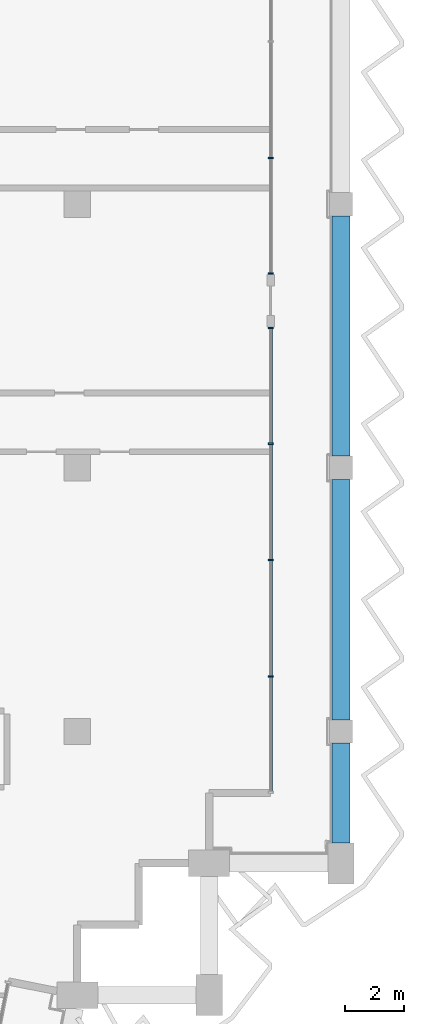
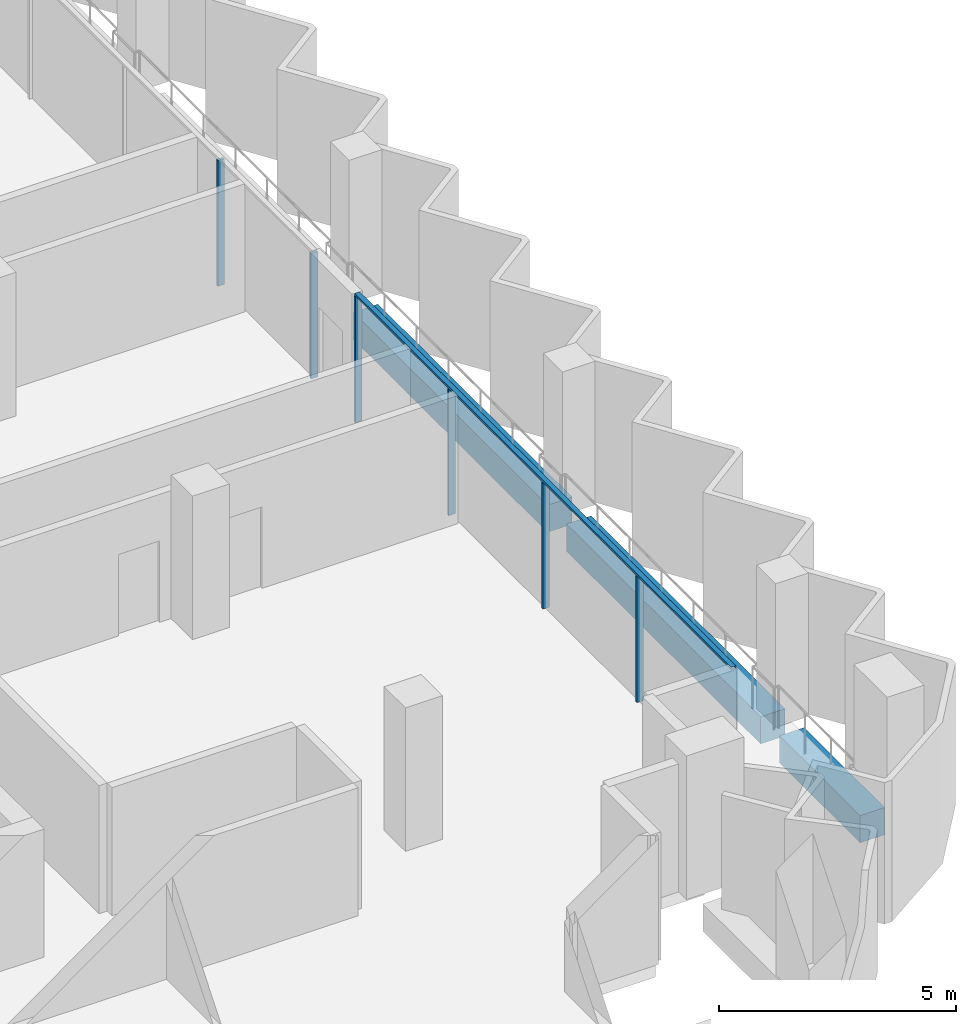
# One storey, part 4 of 14: 7 members, 3 beams, 2 elements without a shape of their own.
"""IFC4 building model written with IfcOpenShell, lengths in metres."""

from ifc_helpers import new_model, si_unit, direction, frame, origin, origin_2d, place, context, subcontext, project, spatial, rectangle, extrude, material, material_profile, profile_set, type_object, element, aggregate, save


model = new_model("IFC4")

# Units and contexts
model_context = context("Model", 3, precision=1e-05, world=origin(), true_north=direction((0.0, 1.0)))
body_context = subcontext(model_context, "Body", "Model", "MODEL_VIEW")
ifc_project = project(units=[si_unit("LENGTHUNIT", "METRE"), si_unit("AREAUNIT", "SQUARE_METRE"), si_unit("VOLUMEUNIT", "CUBIC_METRE"), si_unit("PLANEANGLEUNIT", "RADIAN"), si_unit("MASSUNIT", "GRAM", prefix="KILO")], contexts=[model_context])

# Site, building, storey
site_placement = place(None, origin())
site = spatial("IfcSite", under=ifc_project, at=site_placement, CompositionType="ELEMENT")
building_placement = place(site_placement, origin())
building = spatial("IfcBuilding", under=site, at=building_placement, Name="Hunhe Ridgeline Campus", CompositionType="ELEMENT")
storey_placement = place(building_placement, frame((0.0, 0.0, 284.5)))
storey = spatial("IfcBuildingStorey", under=building, at=storey_placement, Name="L73", CompositionType="ELEMENT", Elevation=284.5)

# Curtain wall, members
ifc_material_1 = material(Name="Aluminium 6063", Category="aluminium")
curtain_wall_type = type_object("IfcCurtainWallType", Name="Curtain wall CW-1", PredefinedType="NOTDEFINED", material=ifc_material_1)
curtain_wall_1_placement = place(storey_placement, origin())
curtain_wall_1 = element("IfcCurtainWall", 1, at=curtain_wall_1_placement, inside=storey, type_object=curtain_wall_type, Name="Curtain wall 11", PredefinedType="NOTDEFINED")
ifc_material_profile_1 = material_profile(ifc_material_1, rectangle(XDim=0.159912109375, YDim=0.06005859375, at=origin_2d()))
ifc_profile_set_1 = profile_set([ifc_material_profile_1], Name="Aluminium 6063")
member_type_1 = type_object("IfcMemberType", Name="CW-1 aluminium mullion", PredefinedType="MULLION", material=ifc_profile_set_1)
member_1_placement = place(storey_placement, frame((51.59912109375, 64.8759765625, 0.0), z_axis=(0.0, 0.0, 1.0), x_axis=(-1.0, 0.0, 0.0)))
member_1 = element("IfcMember", 2, at=member_1_placement, type_object=member_type_1, Name="CW-1 mullion 2", PredefinedType="MULLION", context=body_context, shape_type="SweptSolid", body=[
    extrude(rectangle(XDim=0.159912109375, YDim=0.06005859375, at=origin_2d()), origin(), (0.0, 0.0, 1.0), 3.239990234375),
])
member_2_placement = place(storey_placement, frame((51.59912109375, 68.850830078125, 0.0), z_axis=(0.0, 0.0, 1.0), x_axis=(-1.0, 0.0, 0.0)))
member_2 = element("IfcMember", 3, at=member_2_placement, type_object=member_type_1, Name="CW-1 mullion 3", PredefinedType="MULLION", context=body_context, shape_type="SweptSolid", body=[
    extrude(rectangle(XDim=0.159912109375, YDim=0.06005859375, at=origin_2d()), origin(), (0.0, 0.0, 1.0), 3.239990234375),
])
member_3_placement = place(storey_placement, frame((51.59912109375, 72.82568359375, 0.0), z_axis=(0.0, 0.0, 1.0), x_axis=(-1.0, 0.0, 0.0)))
member_3 = element("IfcMember", 4, at=member_3_placement, type_object=member_type_1, Name="CW-1 mullion 4", PredefinedType="MULLION", context=body_context, shape_type="SweptSolid", body=[
    extrude(rectangle(XDim=0.159912109375, YDim=0.06005859375, at=origin_2d()), origin(), (0.0, 0.0, 1.0), 3.239990234375),
])
member_4_placement = place(storey_placement, frame((51.59912109375, 76.7705078125, 0.0), z_axis=(0.0, 0.0, 1.0), x_axis=(-1.0, 0.0, 0.0)))
member_4 = element("IfcMember", 5, at=member_4_placement, type_object=member_type_1, Name="CW-1 mullion 5", PredefinedType="MULLION", context=body_context, shape_type="SweptSolid", body=[
    extrude(rectangle(XDim=0.159912109375, YDim=0.06005859375, at=origin_2d()), origin(), (0.0, 0.0, 1.0), 3.239990234375),
])

curtain_wall_2_placement = place(storey_placement, origin())
curtain_wall_2 = element("IfcCurtainWall", 6, at=curtain_wall_2_placement, inside=storey, type_object=curtain_wall_type, Name="Curtain wall 12", PredefinedType="NOTDEFINED")
member_5_placement = place(storey_placement, frame((51.59912109375, 78.630615234375, 0.0), z_axis=(0.0, 0.0, 1.0), x_axis=(-1.0, 0.0, 0.0)))
member_5 = element("IfcMember", 7, at=member_5_placement, type_object=member_type_1, Name="CW-1 mullion 1", PredefinedType="MULLION", context=body_context, shape_type="SweptSolid", body=[
    extrude(rectangle(XDim=0.159912109375, YDim=0.06005859375, at=origin_2d()), origin(), (0.0, 0.0, 1.0), 3.239990234375),
])
member_6_placement = place(storey_placement, frame((51.59912109375, 82.575439453125, 0.0), z_axis=(0.0, 0.0, 1.0), x_axis=(-1.0, 0.0, 0.0)))
member_6 = element("IfcMember", 8, at=member_6_placement, type_object=member_type_1, Name="CW-1 mullion 2", PredefinedType="MULLION", context=body_context, shape_type="SweptSolid", body=[
    extrude(rectangle(XDim=0.159912109375, YDim=0.06005859375, at=origin_2d()), origin(), (0.0, 0.0, 1.0), 3.239990234375),
])
aggregate(curtain_wall_2, [member_5, member_6])

# Member
ifc_material_profile_2 = material_profile(ifc_material_1, rectangle(XDim=0.1201171875, YDim=0.06005859375, at=origin_2d()))
ifc_profile_set_2 = profile_set([ifc_material_profile_2], Name="Aluminium 6063")
member_type_2 = type_object("IfcMemberType", Name="CW-1 aluminium transom", PredefinedType="USERDEFINED", material=ifc_profile_set_2)
member_7_placement = place(storey_placement, frame((51.59912109375, 60.90087890625, 3.27001953125), z_axis=(0.0, 1.0, 0.0), x_axis=(-1.0, 0.0, 0.0)))
member_7 = element("IfcMember", 9, at=member_7_placement, type_object=member_type_2, Name="CW-1 transom 1", ObjectType="TRANSOM", PredefinedType="USERDEFINED", context=body_context, shape_type="SweptSolid", body=[
    extrude(rectangle(XDim=0.1201171875, YDim=0.06005859375, at=origin_2d()), origin(), (0.0, 0.0, 1.0), 15.899658203125),
])

aggregate(curtain_wall_1, [member_7, member_1, member_2, member_3, member_4])

# Beams
ifc_material_2 = material(Name="Concrete C50", Category="concrete")
ifc_material_profile_3 = material_profile(ifc_material_2, rectangle(XDim=0.60009765625, YDim=0.699951171875, at=origin_2d()))
ifc_profile_set_3 = profile_set([ifc_material_profile_3], Name="Concrete C50")
beam_type = type_object("IfcBeamType", Name="RC spandrel beam 600x700 Concrete C50", PredefinedType="SPANDREL", material=ifc_profile_set_3)
beam_placement = place(storey_placement, frame((54.0, 59.199951171875, -0.60009765625), z_axis=(0.0, 1.0, 0.0), x_axis=(-1.0, 0.0, 0.0)))
element("IfcBeam", 10, at=beam_placement, inside=storey, type_object=beam_type, Name="Spandrel beam B4-12 L73", PredefinedType="SPANDREL", context=body_context, shape_type="SweptSolid", body=[
    extrude(rectangle(XDim=0.60009765625, YDim=0.699951171875, at=origin_2d()), origin(), (0.0, 0.0, 1.0), 3.400146484375),
])
for number, where, z_axis, x_axis, name in (
    (11, (54.0, 63.39990234375, -0.60009765625), (0.0, 1.0, 0.0), (-1.0, 0.0, 0.0), "Spandrel beam B4-13 L73"),
    (12, (54.0, 72.39990234375, -0.60009765625), (0.0, 1.0, 0.0), (-1.0, 0.0, 0.0), "Spandrel beam B4-14 L73"),
):
    element("IfcBeam", number, at=place(storey_placement, frame(where, z_axis=z_axis, x_axis=x_axis)), inside=storey, type_object=beam_type, Name=name, PredefinedType="SPANDREL", context=body_context, shape_type="SweptSolid", body=[
        extrude(rectangle(XDim=0.60009765625, YDim=0.699951171875, at=origin_2d()), origin(), (0.0, 0.0, 1.0), 8.2001953125),
    ])

save(model, "model.ifc")
